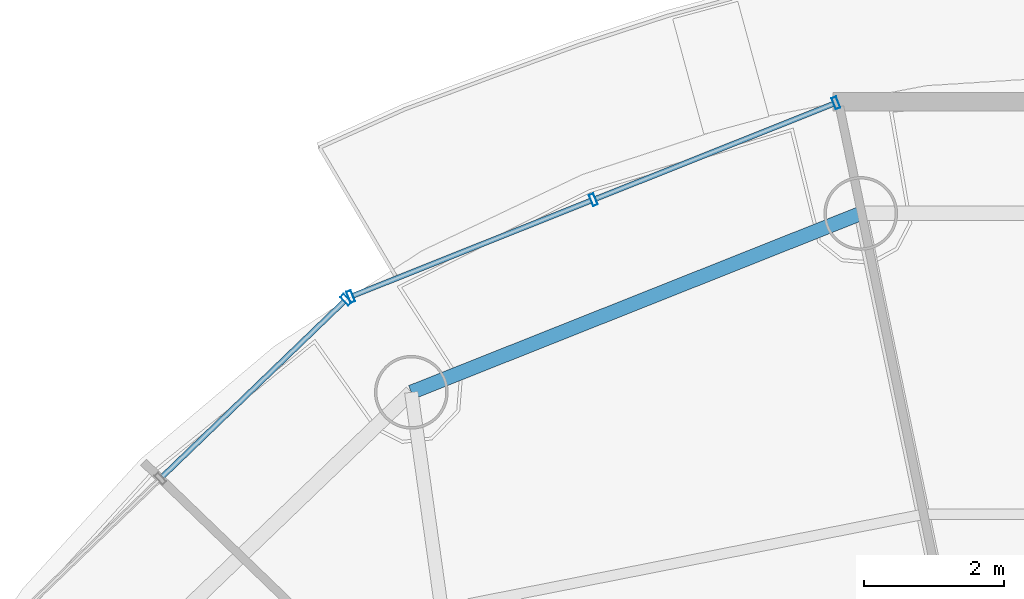
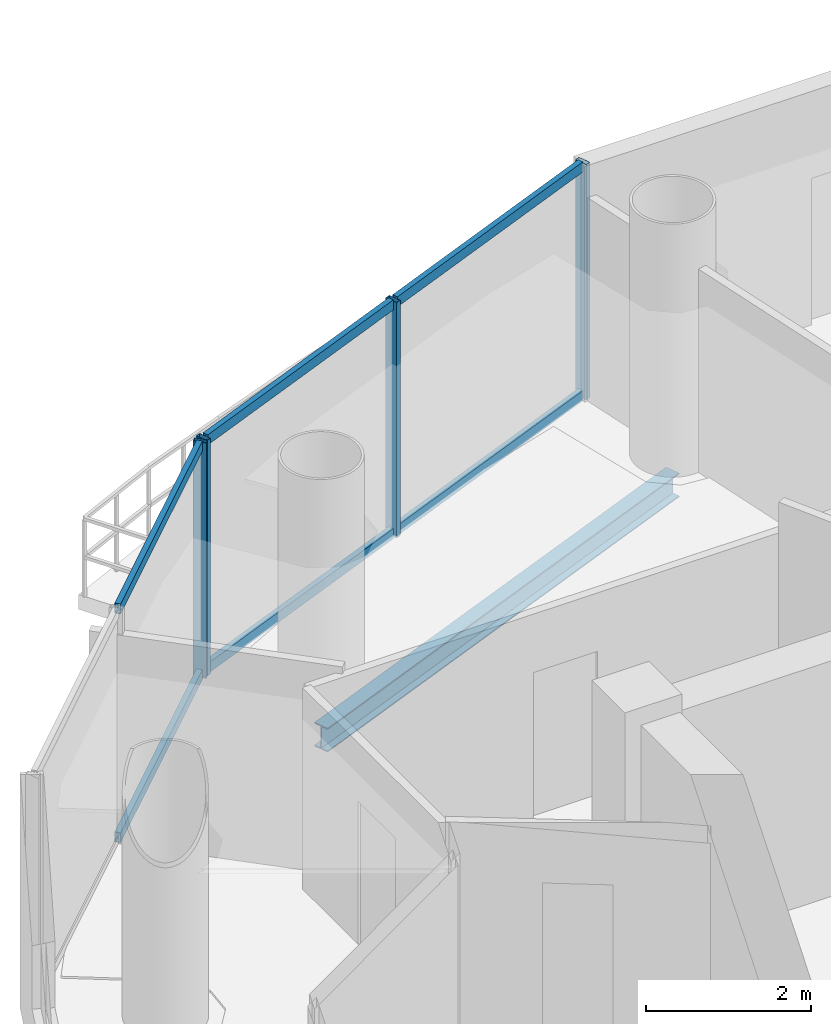
# One storey, part 14 of 24: 10 members, 1 beam, 2 elements without a shape of their own.
"""IFC4 building model written with IfcOpenShell, lengths in metres."""

from ifc_helpers import new_model, si_unit, direction, frame, origin, origin_2d, place, context, subcontext, project, spatial, hollow_rectangle, i_section, extrude, source, transform, mapped, material, material_profile, profile_set, type_object, element, aggregate, save


model = new_model("IFC4")

# Units and contexts
model_context = context("Model", 3, precision=1e-05, world=origin(), true_north=direction((-0.2419218956, 0.970295726276)))
body_context = subcontext(model_context, "Body", "Model", "MODEL_VIEW")
ifc_project = project(units=[si_unit("LENGTHUNIT", "METRE"), si_unit("AREAUNIT", "SQUARE_METRE"), si_unit("VOLUMEUNIT", "CUBIC_METRE"), si_unit("PLANEANGLEUNIT", "RADIAN"), si_unit("MASSUNIT", "GRAM", prefix="KILO")], contexts=[model_context])

# Site, building, storey
site_placement = place(None, origin())
site = spatial("IfcSite", under=ifc_project, at=site_placement, CompositionType="ELEMENT")
building_placement = place(site_placement, origin())
building = spatial("IfcBuilding", under=site, at=building_placement, Name="Cobrevalo Terracotta Tower", CompositionType="ELEMENT")
storey_placement = place(building_placement, frame((0.0, 0.0, 270.699951171875)))
storey = spatial("IfcBuildingStorey", under=building, at=storey_placement, Name="L71", CompositionType="ELEMENT", Elevation=270.699951171875)

# Beam
ifc_material_1 = material(Name="Steel S355", Category="steel")
ifc_material_profile_1 = material_profile(ifc_material_1, i_section(OverallWidth=0.205078125, OverallDepth=0.35400390625, WebThickness=0.009521484375, FlangeThickness=0.016845703125, at=origin_2d()), Name="W 360x79")
ifc_profile_set_1 = profile_set([ifc_material_profile_1], Name="Steel S355")
beam_type = type_object("IfcBeamType", Name="Structural Spandrel W 360x79 (Steel S355)", PredefinedType="SPANDREL", material=ifc_profile_set_1)
beam_placement = place(storey_placement, frame((34.537109375, 43.5224609375, -0.43701171875), z_axis=(-0.929149986048, -0.369702993533, 0.0), x_axis=(0.369702993533, -0.929149986048, 0.0)))
element("IfcBeam", 1, at=beam_placement, inside=storey, type_object=beam_type, Name="L71 perimeter ring spandrel 05", PredefinedType="SPANDREL", context=body_context, shape_type="SweptSolid", body=[
    extrude(i_section(OverallWidth=0.205078125, OverallDepth=0.35400390625, WebThickness=0.009521484375, FlangeThickness=0.016845703125, at=origin_2d()), origin(), (0.0, 0.0, 1.0), 6.88623046875),
])

# Curtain wall, members
ifc_material_2 = material(Name="Anodized aluminium", Category="aluminium")
curtain_wall_type = type_object("IfcCurtainWallType", Name="Upper-tower triple-glazed penthouse curtain wall CW-U3", PredefinedType="NOTDEFINED", material=ifc_material_2)
curtain_wall_1_placement = place(storey_placement, origin())
curtain_wall_1 = element("IfcCurtainWall", 2, at=curtain_wall_1_placement, inside=storey, type_object=curtain_wall_type, Name="L71 curtain wall CW-L71-S05", PredefinedType="NOTDEFINED")
ifc_material_profile_2 = material_profile(ifc_material_2, hollow_rectangle(XDim=0.070068359375, YDim=0.169921875, WallThickness=0.00439453125, at=origin_2d()), Name="CWM 70x170")
ifc_profile_set_2 = profile_set([ifc_material_profile_2], Name="Anodized aluminium")
member_type_1 = type_object("IfcMemberType", Name="Upper tower unitised mullion 70x170", PredefinedType="MULLION", material=ifc_profile_set_2)
shared_shape_1 = source(origin(), body_context, "Body", "SweptSolid", [
    extrude(hollow_rectangle(XDim=0.070068359375, YDim=0.169921875, WallThickness=0.00439453125, at=origin_2d()), origin(), (0.0, 0.0, 1.0), 3.489990234375),
])
member_1_placement = place(storey_placement, frame((34.183837890625, 45.096435546875, 0.0), z_axis=(0.0, 0.0, 1.0), x_axis=(-0.928718980883, -0.370784377433, 0.0)))
member_1 = element("IfcMember", 3, at=member_1_placement, type_object=member_type_1, Name="CW-L71-S05 vertical mullion 01", PredefinedType="MULLION", context=body_context, shape_type="MappedRepresentation", body=[
    mapped(shared_shape_1, transform((0.0, 0.0, 0.0), scale=1.0)),
])
member_2_placement = place(storey_placement, frame((30.729736328125, 43.71728515625, 0.0), z_axis=(0.0, 0.0, 1.0), x_axis=(-0.928718980883, -0.370784377433, 0.0)))
member_2 = element("IfcMember", 4, at=member_2_placement, type_object=member_type_1, Name="CW-L71-S05 vertical mullion 02", PredefinedType="MULLION", context=body_context, shape_type="MappedRepresentation", body=[
    mapped(shared_shape_1, transform((0.0, 0.0, 0.0), scale=1.0)),
])
member_3_placement = place(storey_placement, frame((27.275634765625, 42.33837890625, 0.0), z_axis=(0.0, 0.0, 1.0), x_axis=(-0.928718980883, -0.370784377433, 0.0)))
member_3 = element("IfcMember", 5, at=member_3_placement, type_object=member_type_1, Name="CW-L71-S05 vertical mullion 03", PredefinedType="MULLION", context=body_context, shape_type="MappedRepresentation", body=[
    mapped(shared_shape_1, transform((0.0, 0.0, 0.0), scale=1.0)),
])

curtain_wall_2_placement = place(storey_placement, origin())
curtain_wall_2 = element("IfcCurtainWall", 6, at=curtain_wall_2_placement, inside=storey, type_object=curtain_wall_type, Name="L71 curtain wall CW-L71-S06", PredefinedType="NOTDEFINED")
member_4_placement = place(storey_placement, frame((27.209716796875, 42.2958984375, 0.0), z_axis=(0.0, 0.0, 1.0), x_axis=(-0.71999418085, -0.69398010025, 0.0)))
member_4 = element("IfcMember", 7, at=member_4_placement, type_object=member_type_1, Name="CW-L71-S06 vertical mullion 01", PredefinedType="MULLION", context=body_context, shape_type="MappedRepresentation", body=[
    mapped(shared_shape_1, transform((0.0, 0.0, 0.0), scale=1.0)),
])
ifc_material_profile_3 = material_profile(ifc_material_2, hollow_rectangle(XDim=0.074951171875, YDim=0.14990234375, WallThickness=0.00439453125, at=origin_2d()), Name="CWT 75x150")
ifc_profile_set_3 = profile_set([ifc_material_profile_3], Name="Anodized aluminium")
member_type_2 = type_object("IfcMemberType", Name="Tower unitised aluminium transom 75x150", PredefinedType="USERDEFINED", material=ifc_profile_set_3)
shared_shape_2 = source(origin(), body_context, "Body", "SweptSolid", [
    extrude(hollow_rectangle(XDim=0.074951171875, YDim=0.14990234375, WallThickness=0.00439453125, at=origin_2d()), origin(), (0.0, 0.0, 1.0), 3.59130859375),
])
member_5_placement = place(storey_placement, frame((27.180908203125, 42.26806640625, 0.050048828125), z_axis=(-0.720005628362, -0.693968223427, 0.0), x_axis=(0.693968223427, -0.720005628362, 0.0)))
member_5 = element("IfcMember", 8, at=member_5_placement, type_object=member_type_2, Name="CW-L71-S06 transom B01-T1", ObjectType="TRANSOM", PredefinedType="USERDEFINED", context=body_context, shape_type="MappedRepresentation", body=[
    mapped(shared_shape_2, transform((0.0, 0.0, 0.0), scale=1.0)),
])
member_6_placement = place(storey_placement, frame((27.180908203125, 42.26806640625, 3.43994140625), z_axis=(-0.720005628362, -0.693968223427, 0.0), x_axis=(0.693968223427, -0.720005628362, 0.0)))
member_6 = element("IfcMember", 9, at=member_6_placement, type_object=member_type_2, Name="CW-L71-S06 transom B01-T2", ObjectType="TRANSOM", PredefinedType="USERDEFINED", context=body_context, shape_type="MappedRepresentation", body=[
    mapped(shared_shape_2, transform((0.0, 0.0, 0.0), scale=1.0)),
])
aggregate(curtain_wall_2, [member_4, member_5, member_6])

# Member
shared_shape_3 = source(origin(), body_context, "Body", "SweptSolid", [
    extrude(hollow_rectangle(XDim=0.074951171875, YDim=0.14990234375, WallThickness=0.00439453125, at=origin_2d()), origin(), (0.0, 0.0, 1.0), 3.63916015625),
])
member_7_placement = place(storey_placement, frame((34.146728515625, 45.08154296875, 0.050048828125), z_axis=(-0.928712471544, -0.370800681227, 0.0), x_axis=(0.370800681227, -0.928712471544, 0.0)))
member_7 = element("IfcMember", 10, at=member_7_placement, type_object=member_type_2, Name="CW-L71-S05 transom B01-T1", ObjectType="TRANSOM", PredefinedType="USERDEFINED", context=body_context, shape_type="MappedRepresentation", body=[
    mapped(shared_shape_3, transform((0.0, 0.0, 0.0), scale=1.0)),
])

member_8_placement = place(storey_placement, frame((34.146728515625, 45.08154296875, 3.43994140625), z_axis=(-0.928712471544, -0.370800681227, 0.0), x_axis=(0.370800681227, -0.928712471544, 0.0)))
member_8 = element("IfcMember", 11, at=member_8_placement, type_object=member_type_2, Name="CW-L71-S05 transom B01-T2", ObjectType="TRANSOM", PredefinedType="USERDEFINED", context=body_context, shape_type="MappedRepresentation", body=[
    mapped(shared_shape_3, transform((0.0, 0.0, 0.0), scale=1.0)),
])

member_9_placement = place(storey_placement, frame((30.692626953125, 43.70263671875, 0.050048828125), z_axis=(-0.928712471544, -0.370800681227, 0.0), x_axis=(0.370800681227, -0.928712471544, 0.0)))
member_9 = element("IfcMember", 12, at=member_9_placement, type_object=member_type_2, Name="CW-L71-S05 transom B02-T1", ObjectType="TRANSOM", PredefinedType="USERDEFINED", context=body_context, shape_type="MappedRepresentation", body=[
    mapped(shared_shape_3, transform((0.0, 0.0, 0.0), scale=1.0)),
])

member_10_placement = place(storey_placement, frame((30.692626953125, 43.70263671875, 3.43994140625), z_axis=(-0.928712471544, -0.370800681227, 0.0), x_axis=(0.370800681227, -0.928712471544, 0.0)))
member_10 = element("IfcMember", 13, at=member_10_placement, type_object=member_type_2, Name="CW-L71-S05 transom B02-T2", ObjectType="TRANSOM", PredefinedType="USERDEFINED", context=body_context, shape_type="MappedRepresentation", body=[
    mapped(shared_shape_3, transform((0.0, 0.0, 0.0), scale=1.0)),
])

aggregate(curtain_wall_1, [member_1, member_2, member_3, member_7, member_8, member_9, member_10])

save(model, "model.ifc")
